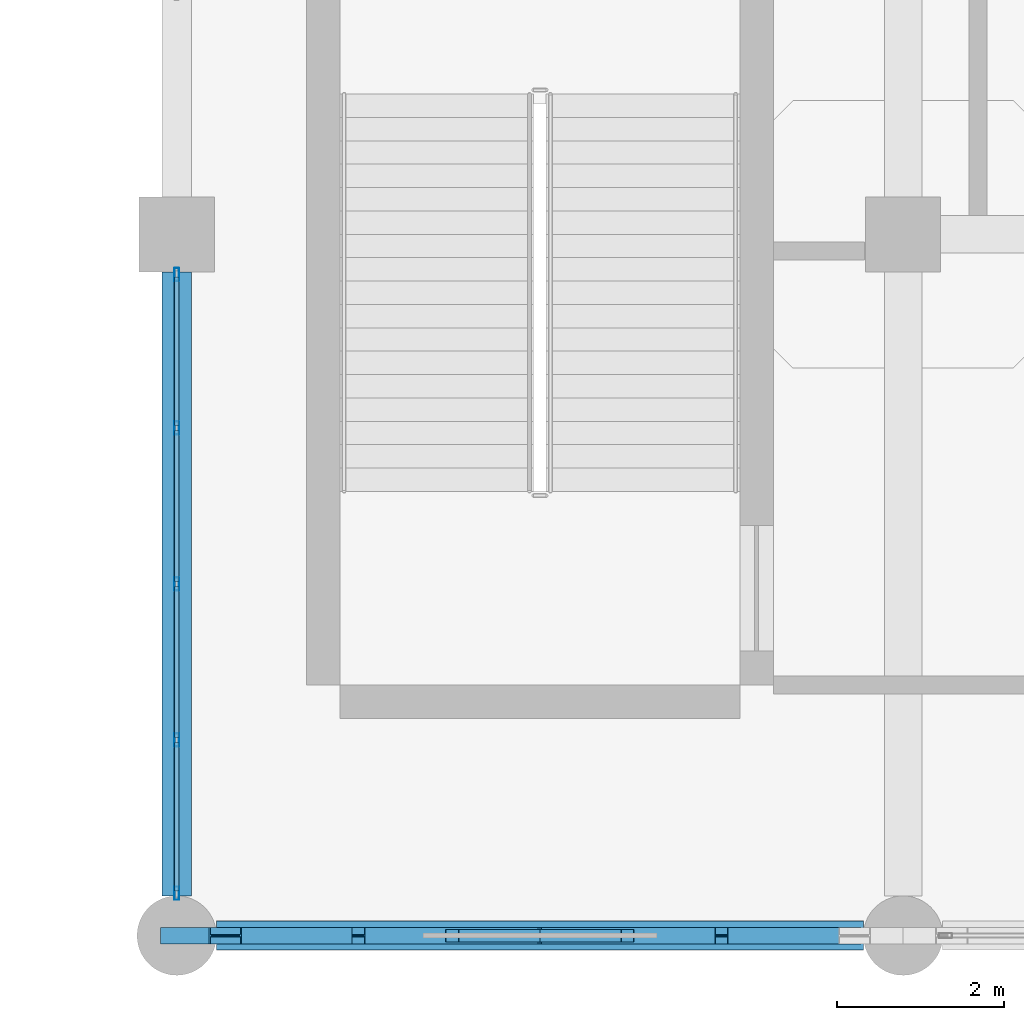
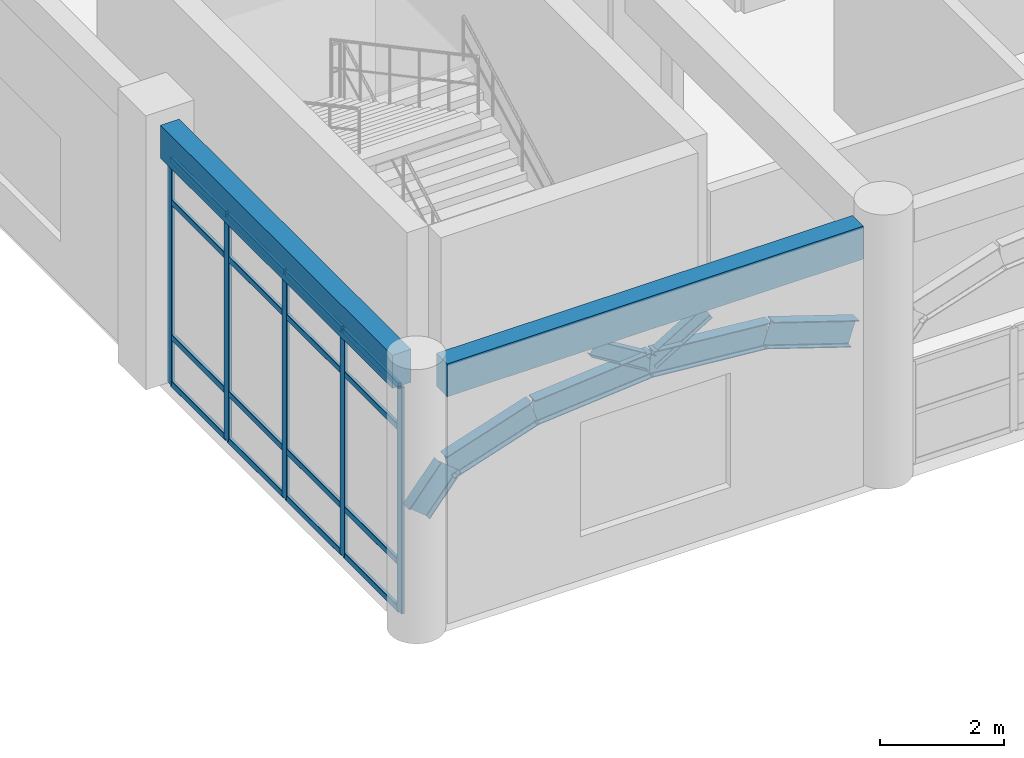
# One storey, part 26 of 114: 23 members, 7 beams, 1 element without a shape of its own.
"""IFC4 building model written with IfcOpenShell, lengths in metres."""

from ifc_helpers import new_model, si_unit, derived_unit, direction, frame, origin, origin_2d, place, context, subcontext, project, spatial, rectangle, hollow_rectangle, i_section, extrude, material, layer, layer_set, material_profile, profile_set, type_object, element, aggregate, save


model = new_model("IFC4")

# Units and contexts
model_context = context("Model", 3, precision=1e-05, world=origin(), true_north=direction((0.0, 1.0)))
body_context = subcontext(model_context, "Body", "Model", "MODEL_VIEW")
ifc_project = project(units=[si_unit("LENGTHUNIT", "METRE"), si_unit("AREAUNIT", "SQUARE_METRE"), si_unit("VOLUMEUNIT", "CUBIC_METRE"), si_unit("PLANEANGLEUNIT", "RADIAN"), si_unit("MASSUNIT", "GRAM", prefix="KILO"), derived_unit("THERMALTRANSMITTANCEUNIT", [(si_unit("MASSUNIT", "GRAM", prefix="KILO"), 1), (si_unit("TIMEUNIT", "SECOND"), -3), (si_unit("THERMODYNAMICTEMPERATUREUNIT", "KELVIN"), -1)])], contexts=[model_context])

# Site, building, storey
site_placement = place(None, origin())
site = spatial("IfcSite", under=ifc_project, at=site_placement, CompositionType="ELEMENT")
building_placement = place(site_placement, origin())
building = spatial("IfcBuilding", under=site, at=building_placement, Name="Qinzheling Arcade Emporium", CompositionType="ELEMENT")
storey_placement = place(building_placement, frame((0.0, 0.0, 6.0)))
storey = spatial("IfcBuildingStorey", under=building, at=storey_placement, Name="L02", CompositionType="ELEMENT", Elevation=6.0)

# Beams
ifc_material_1 = material(Name="Weathering steel Q355NH", Category="steel")
ifc_material_profile_1 = material_profile(ifc_material_1, i_section(OverallWidth=0.199951171875, OverallDepth=0.5, WebThickness=0.010009765625, FlangeThickness=0.01611328125, FilletRadius=0.01806640625, at=origin_2d()), Name="HN 500x200x10x16", Category="steel")
ifc_profile_set_1 = profile_set([ifc_material_profile_1], Name="Weathering steel Q355NH")
beam_type_1 = type_object("IfcBeamType", Name="Arcade End Arch Rib HN500 Q355NH", PredefinedType="BEAM", material=ifc_profile_set_1)
beam_1_placement = place(storey_placement, frame((104.39990234375, 0.0, 2.27490234375), z_axis=(0.632934642244, 0.0, 0.774205230316), x_axis=(0.0, 1.0, 0.0)))
element("IfcBeam", 1, at=beam_1_placement, inside=storey, type_object=beam_type_1, Name="Street Entrance Arch ARC-L02-S06-C01", PredefinedType="BEAM", context=body_context, shape_type="SweptSolid", body=[
    extrude(i_section(OverallWidth=0.199951171875, OverallDepth=0.5, WebThickness=0.010009765625, FlangeThickness=0.01611328125, FilletRadius=0.01806640625, at=origin_2d()), origin(), (0.0, 0.0, 1.0), 0.921142578125),
])
beam_2_placement = place(storey_placement, frame((104.98291015625, 0.0, 2.988037109375), z_axis=(0.950403395584, 0.0, 0.311019912004), x_axis=(0.0, 1.0, 0.0)))
element("IfcBeam", 2, at=beam_2_placement, inside=storey, type_object=beam_type_1, Name="Street Entrance Arch ARC-L02-S06-C02", PredefinedType="BEAM", context=body_context, shape_type="SweptSolid", body=[
    extrude(i_section(OverallWidth=0.199951171875, OverallDepth=0.5, WebThickness=0.010009765625, FlangeThickness=0.01611328125, FilletRadius=0.01806640625, at=origin_2d()), origin(), (0.0, 0.0, 1.0), 1.675048828125),
])
for number, where, z_axis, x_axis, name in (
    (3, (106.574951171875, 0.0, 3.509033203125), (0.9961697702, 0.0, 0.087440202076), (0.0, 1.0, 0.0), "Street Entrance Arch ARC-L02-S06-C03"),
    (4, (108.75, 0.0, 3.699951171875), (0.9961697702, 0.0, -0.087440202076), (0.0, 1.0, 0.0), "Street Entrance Arch ARC-L02-S06-C04"),
):
    element("IfcBeam", number, at=place(storey_placement, frame(where, z_axis=z_axis, x_axis=x_axis)), inside=storey, type_object=beam_type_1, Name=name, PredefinedType="BEAM", context=body_context, shape_type="SweptSolid", body=[
        extrude(i_section(OverallWidth=0.199951171875, OverallDepth=0.5, WebThickness=0.010009765625, FlangeThickness=0.01611328125, FilletRadius=0.01806640625, at=origin_2d()), origin(), (0.0, 0.0, 1.0), 2.183349609375),
    ])
beam_3_placement = place(storey_placement, frame((110.925048828125, 0.0, 3.509033203125), z_axis=(0.950403395584, 0.0, -0.311019912004), x_axis=(0.0, 1.0, 0.0)))
element("IfcBeam", 5, at=beam_3_placement, inside=storey, type_object=beam_type_1, Name="Street Entrance Arch ARC-L02-S06-C05", PredefinedType="BEAM", context=body_context, shape_type="SweptSolid", body=[
    extrude(i_section(OverallWidth=0.199951171875, OverallDepth=0.5, WebThickness=0.010009765625, FlangeThickness=0.01611328125, FilletRadius=0.01806640625, at=origin_2d()), origin(), (0.0, 0.0, 1.0), 1.675048828125),
])

# Members
ifc_material_profile_2 = material_profile(ifc_material_1, i_section(OverallWidth=0.14990234375, OverallDepth=0.300048828125, WebThickness=0.006591796875, FlangeThickness=0.009033203125, FilletRadius=0.012939453125, at=origin_2d()), Name="HN 300x150x6.5x9", Category="steel")
ifc_profile_set_2 = profile_set([ifc_material_profile_2], Name="Weathering steel Q355NH")
member_type_1 = type_object("IfcMemberType", Name="Arcade Spandrel Web Chord HN300 Q355NH", PredefinedType="CHORD", material=ifc_profile_set_2)
for number, where, z_axis, x_axis, name in (
    (6, (108.75, 0.0, 3.7099609375), (-0.853845673448, 0.0, 0.520526239428), (0.0, -1.0, 0.0), "Street Spandrel Web Chord ASW-L02-S06-W1"),
    (7, (108.75, 0.0, 3.7099609375), (0.853845673448, 0.0, 0.520526239428), (0.0, 1.0, 0.0), "Street Spandrel Web Chord ASW-L02-S06-W2"),
):
    element("IfcMember", number, at=place(storey_placement, frame(where, z_axis=z_axis, x_axis=x_axis)), inside=storey, type_object=member_type_1, Name=name, PredefinedType="CHORD", context=body_context, shape_type="SweptSolid", body=[
        extrude(i_section(OverallWidth=0.14990234375, OverallDepth=0.300048828125, WebThickness=0.006591796875, FlangeThickness=0.009033203125, FilletRadius=0.012939453125, at=origin_2d()), origin(), (0.0, 0.0, 1.0), 1.229736328125),
    ])

# Curtain wall, members
ifc_material_2 = material(Name="Anodised aluminium and solar-control double glazing", Category="aluminium")
ifc_layer = layer(ifc_material_2, 0.159912109375, Name="Anodised aluminium and solar-control double glazing", Category="aluminium")
ifc_layer_set = layer_set([ifc_layer], Name="Anodised aluminium and solar-control double glazing")
curtain_wall_type = type_object("IfcCurtainWallType", Name="Arcade Portal Glazed Curtain Wall", PredefinedType="NOTDEFINED", material=ifc_layer_set)
curtain_wall_placement = place(storey_placement, origin())
curtain_wall = element("IfcCurtainWall", 8, at=curtain_wall_placement, inside=storey, type_object=curtain_wall_type, Name="Curtain Wall CW-L02-060", PredefinedType="NOTDEFINED")
ifc_material_3 = material(Name="Anodised aluminium 6063-T6", Category="aluminium")
ifc_material_profile_3 = material_profile(ifc_material_3, hollow_rectangle(XDim=0.06005859375, YDim=0.159912109375, WallThickness=0.00390625, InnerFilletRadius=0.00390625, OuterFilletRadius=0.008056640625, at=origin_2d()), Name="RHS 160x60x4", Category="aluminium")
ifc_profile_set_3 = profile_set([ifc_material_profile_3], Name="Anodised aluminium 6063-T6")
member_type_2 = type_object("IfcMemberType", Name="Curtain Wall Mullion RHS160x60", PredefinedType="MULLION", material=ifc_profile_set_3)
member_1_placement = place(storey_placement, frame((104.39990234375, 0.507080078125, 0.0), z_axis=(0.0, 0.0, 1.0), x_axis=(-1.0, 0.0, 0.0)))
member_1 = element("IfcMember", 9, at=member_1_placement, type_object=member_type_2, Name="CW05 mullion 1", PredefinedType="MULLION", context=body_context, shape_type="SweptSolid", body=[
    extrude(hollow_rectangle(XDim=0.06005859375, YDim=0.159912109375, WallThickness=0.00390625, InnerFilletRadius=0.00390625, OuterFilletRadius=0.008056640625, at=origin_2d()), origin(), (0.0, 0.0, 1.0), 4.455078125),
])
member_2_placement = place(storey_placement, frame((104.39990234375, 2.3447265625, 0.0), z_axis=(0.0, 0.0, 1.0), x_axis=(-1.0, 0.0, 0.0)))
member_2 = element("IfcMember", 10, at=member_2_placement, type_object=member_type_2, Name="CW05 mullion 2", PredefinedType="MULLION", context=body_context, shape_type="SweptSolid", body=[
    extrude(hollow_rectangle(XDim=0.06005859375, YDim=0.159912109375, WallThickness=0.00390625, InnerFilletRadius=0.00390625, OuterFilletRadius=0.008056640625, at=origin_2d()), origin(), (0.0, 0.0, 1.0), 4.455078125),
])
member_3_placement = place(storey_placement, frame((104.39990234375, 4.21240234375, 0.0), z_axis=(0.0, 0.0, 1.0), x_axis=(-1.0, 0.0, 0.0)))
member_3 = element("IfcMember", 11, at=member_3_placement, type_object=member_type_2, Name="CW05 mullion 3", PredefinedType="MULLION", context=body_context, shape_type="SweptSolid", body=[
    extrude(hollow_rectangle(XDim=0.06005859375, YDim=0.159912109375, WallThickness=0.00390625, InnerFilletRadius=0.00390625, OuterFilletRadius=0.008056640625, at=origin_2d()), origin(), (0.0, 0.0, 1.0), 4.455078125),
])
member_4_placement = place(storey_placement, frame((104.39990234375, 6.080322265625, 0.0), z_axis=(0.0, 0.0, 1.0), x_axis=(-1.0, 0.0, 0.0)))
member_4 = element("IfcMember", 12, at=member_4_placement, type_object=member_type_2, Name="CW05 mullion 4", PredefinedType="MULLION", context=body_context, shape_type="SweptSolid", body=[
    extrude(hollow_rectangle(XDim=0.06005859375, YDim=0.159912109375, WallThickness=0.00390625, InnerFilletRadius=0.00390625, OuterFilletRadius=0.008056640625, at=origin_2d()), origin(), (0.0, 0.0, 1.0), 4.455078125),
])
member_5_placement = place(storey_placement, frame((104.39990234375, 7.91796875, 0.0), z_axis=(0.0, 0.0, 1.0), x_axis=(-1.0, 0.0, 0.0)))
member_5 = element("IfcMember", 13, at=member_5_placement, type_object=member_type_2, Name="CW05 mullion 5", PredefinedType="MULLION", context=body_context, shape_type="SweptSolid", body=[
    extrude(hollow_rectangle(XDim=0.06005859375, YDim=0.159912109375, WallThickness=0.00390625, InnerFilletRadius=0.00390625, OuterFilletRadius=0.008056640625, at=origin_2d()), origin(), (0.0, 0.0, 1.0), 4.455078125),
])
ifc_material_profile_4 = material_profile(ifc_material_3, hollow_rectangle(XDim=0.06005859375, YDim=0.1201171875, WallThickness=0.00390625, InnerFilletRadius=0.00390625, OuterFilletRadius=0.008056640625, at=origin_2d()), Name="RHS 120x60x4", Category="aluminium")
ifc_profile_set_4 = profile_set([ifc_material_profile_4], Name="Anodised aluminium 6063-T6")
member_type_3 = type_object("IfcMemberType", Name="Curtain Wall Transom RHS120x60", PredefinedType="USERDEFINED", material=ifc_profile_set_4)
member_6_placement = place(storey_placement, frame((104.39990234375, 0.537109375, 0.030029296875), z_axis=(0.0, 1.0, 0.0), x_axis=(-1.0, 0.0, 0.0)))
member_6 = element("IfcMember", 14, at=member_6_placement, type_object=member_type_3, Name="CW05 transom 1.1", ObjectType="TRANSOM", PredefinedType="USERDEFINED", context=body_context, shape_type="SweptSolid", body=[
    extrude(hollow_rectangle(XDim=0.06005859375, YDim=0.1201171875, WallThickness=0.00390625, InnerFilletRadius=0.00390625, OuterFilletRadius=0.008056640625, at=origin_2d()), origin(), (0.0, 0.0, 1.0), 1.777587890625),
])
member_7_placement = place(storey_placement, frame((104.39990234375, 0.537109375, 0.949951171875), z_axis=(0.0, 1.0, 0.0), x_axis=(-1.0, 0.0, 0.0)))
member_7 = element("IfcMember", 15, at=member_7_placement, type_object=member_type_3, Name="CW05 transom 1.2", ObjectType="TRANSOM", PredefinedType="USERDEFINED", context=body_context, shape_type="SweptSolid", body=[
    extrude(hollow_rectangle(XDim=0.06005859375, YDim=0.1201171875, WallThickness=0.00390625, InnerFilletRadius=0.00390625, OuterFilletRadius=0.008056640625, at=origin_2d()), origin(), (0.0, 0.0, 1.0), 1.777587890625),
])
member_8_placement = place(storey_placement, frame((104.39990234375, 0.537109375, 3.60498046875), z_axis=(0.0, 1.0, 0.0), x_axis=(-1.0, 0.0, 0.0)))
member_8 = element("IfcMember", 16, at=member_8_placement, type_object=member_type_3, Name="CW05 transom 1.3", ObjectType="TRANSOM", PredefinedType="USERDEFINED", context=body_context, shape_type="SweptSolid", body=[
    extrude(hollow_rectangle(XDim=0.06005859375, YDim=0.1201171875, WallThickness=0.00390625, InnerFilletRadius=0.00390625, OuterFilletRadius=0.008056640625, at=origin_2d()), origin(), (0.0, 0.0, 1.0), 1.777587890625),
])
member_9_placement = place(storey_placement, frame((104.39990234375, 0.537109375, 4.425048828125), z_axis=(0.0, 1.0, 0.0), x_axis=(-1.0, 0.0, 0.0)))
member_9 = element("IfcMember", 17, at=member_9_placement, type_object=member_type_3, Name="CW05 transom 1.4", ObjectType="TRANSOM", PredefinedType="USERDEFINED", context=body_context, shape_type="SweptSolid", body=[
    extrude(hollow_rectangle(XDim=0.06005859375, YDim=0.1201171875, WallThickness=0.00390625, InnerFilletRadius=0.00390625, OuterFilletRadius=0.008056640625, at=origin_2d()), origin(), (0.0, 0.0, 1.0), 1.777587890625),
])
member_10_placement = place(storey_placement, frame((104.39990234375, 2.374755859375, 0.030029296875), z_axis=(0.0, 1.0, 0.0), x_axis=(-1.0, 0.0, 0.0)))
member_10 = element("IfcMember", 18, at=member_10_placement, type_object=member_type_3, Name="CW05 transom 2.1", ObjectType="TRANSOM", PredefinedType="USERDEFINED", context=body_context, shape_type="SweptSolid", body=[
    extrude(hollow_rectangle(XDim=0.06005859375, YDim=0.1201171875, WallThickness=0.00390625, InnerFilletRadius=0.00390625, OuterFilletRadius=0.008056640625, at=origin_2d()), origin(), (0.0, 0.0, 1.0), 1.807861328125),
])
member_11_placement = place(storey_placement, frame((104.39990234375, 2.374755859375, 0.949951171875), z_axis=(0.0, 1.0, 0.0), x_axis=(-1.0, 0.0, 0.0)))
member_11 = element("IfcMember", 19, at=member_11_placement, type_object=member_type_3, Name="CW05 transom 2.2", ObjectType="TRANSOM", PredefinedType="USERDEFINED", context=body_context, shape_type="SweptSolid", body=[
    extrude(hollow_rectangle(XDim=0.06005859375, YDim=0.1201171875, WallThickness=0.00390625, InnerFilletRadius=0.00390625, OuterFilletRadius=0.008056640625, at=origin_2d()), origin(), (0.0, 0.0, 1.0), 1.807861328125),
])
member_12_placement = place(storey_placement, frame((104.39990234375, 2.374755859375, 3.60498046875), z_axis=(0.0, 1.0, 0.0), x_axis=(-1.0, 0.0, 0.0)))
member_12 = element("IfcMember", 20, at=member_12_placement, type_object=member_type_3, Name="CW05 transom 2.3", ObjectType="TRANSOM", PredefinedType="USERDEFINED", context=body_context, shape_type="SweptSolid", body=[
    extrude(hollow_rectangle(XDim=0.06005859375, YDim=0.1201171875, WallThickness=0.00390625, InnerFilletRadius=0.00390625, OuterFilletRadius=0.008056640625, at=origin_2d()), origin(), (0.0, 0.0, 1.0), 1.807861328125),
])
member_13_placement = place(storey_placement, frame((104.39990234375, 2.374755859375, 4.425048828125), z_axis=(0.0, 1.0, 0.0), x_axis=(-1.0, 0.0, 0.0)))
member_13 = element("IfcMember", 21, at=member_13_placement, type_object=member_type_3, Name="CW05 transom 2.4", ObjectType="TRANSOM", PredefinedType="USERDEFINED", context=body_context, shape_type="SweptSolid", body=[
    extrude(hollow_rectangle(XDim=0.06005859375, YDim=0.1201171875, WallThickness=0.00390625, InnerFilletRadius=0.00390625, OuterFilletRadius=0.008056640625, at=origin_2d()), origin(), (0.0, 0.0, 1.0), 1.807861328125),
])
member_14_placement = place(storey_placement, frame((104.39990234375, 4.242431640625, 0.030029296875), z_axis=(0.0, 1.0, 0.0), x_axis=(-1.0, 0.0, 0.0)))
member_14 = element("IfcMember", 22, at=member_14_placement, type_object=member_type_3, Name="CW05 transom 3.1", ObjectType="TRANSOM", PredefinedType="USERDEFINED", context=body_context, shape_type="SweptSolid", body=[
    extrude(hollow_rectangle(XDim=0.06005859375, YDim=0.1201171875, WallThickness=0.00390625, InnerFilletRadius=0.00390625, OuterFilletRadius=0.008056640625, at=origin_2d()), origin(), (0.0, 0.0, 1.0), 1.807861328125),
])
member_15_placement = place(storey_placement, frame((104.39990234375, 4.242431640625, 0.949951171875), z_axis=(0.0, 1.0, 0.0), x_axis=(-1.0, 0.0, 0.0)))
member_15 = element("IfcMember", 23, at=member_15_placement, type_object=member_type_3, Name="CW05 transom 3.2", ObjectType="TRANSOM", PredefinedType="USERDEFINED", context=body_context, shape_type="SweptSolid", body=[
    extrude(hollow_rectangle(XDim=0.06005859375, YDim=0.1201171875, WallThickness=0.00390625, InnerFilletRadius=0.00390625, OuterFilletRadius=0.008056640625, at=origin_2d()), origin(), (0.0, 0.0, 1.0), 1.807861328125),
])
member_16_placement = place(storey_placement, frame((104.39990234375, 4.242431640625, 3.60498046875), z_axis=(0.0, 1.0, 0.0), x_axis=(-1.0, 0.0, 0.0)))
member_16 = element("IfcMember", 24, at=member_16_placement, type_object=member_type_3, Name="CW05 transom 3.3", ObjectType="TRANSOM", PredefinedType="USERDEFINED", context=body_context, shape_type="SweptSolid", body=[
    extrude(hollow_rectangle(XDim=0.06005859375, YDim=0.1201171875, WallThickness=0.00390625, InnerFilletRadius=0.00390625, OuterFilletRadius=0.008056640625, at=origin_2d()), origin(), (0.0, 0.0, 1.0), 1.807861328125),
])
member_17_placement = place(storey_placement, frame((104.39990234375, 4.242431640625, 4.425048828125), z_axis=(0.0, 1.0, 0.0), x_axis=(-1.0, 0.0, 0.0)))
member_17 = element("IfcMember", 25, at=member_17_placement, type_object=member_type_3, Name="CW05 transom 3.4", ObjectType="TRANSOM", PredefinedType="USERDEFINED", context=body_context, shape_type="SweptSolid", body=[
    extrude(hollow_rectangle(XDim=0.06005859375, YDim=0.1201171875, WallThickness=0.00390625, InnerFilletRadius=0.00390625, OuterFilletRadius=0.008056640625, at=origin_2d()), origin(), (0.0, 0.0, 1.0), 1.807861328125),
])
member_18_placement = place(storey_placement, frame((104.39990234375, 6.1103515625, 0.030029296875), z_axis=(0.0, 1.0, 0.0), x_axis=(-1.0, 0.0, 0.0)))
member_18 = element("IfcMember", 26, at=member_18_placement, type_object=member_type_3, Name="CW05 transom 4.1", ObjectType="TRANSOM", PredefinedType="USERDEFINED", context=body_context, shape_type="SweptSolid", body=[
    extrude(hollow_rectangle(XDim=0.06005859375, YDim=0.1201171875, WallThickness=0.00390625, InnerFilletRadius=0.00390625, OuterFilletRadius=0.008056640625, at=origin_2d()), origin(), (0.0, 0.0, 1.0), 1.777587890625),
])
member_19_placement = place(storey_placement, frame((104.39990234375, 6.1103515625, 0.949951171875), z_axis=(0.0, 1.0, 0.0), x_axis=(-1.0, 0.0, 0.0)))
member_19 = element("IfcMember", 27, at=member_19_placement, type_object=member_type_3, Name="CW05 transom 4.2", ObjectType="TRANSOM", PredefinedType="USERDEFINED", context=body_context, shape_type="SweptSolid", body=[
    extrude(hollow_rectangle(XDim=0.06005859375, YDim=0.1201171875, WallThickness=0.00390625, InnerFilletRadius=0.00390625, OuterFilletRadius=0.008056640625, at=origin_2d()), origin(), (0.0, 0.0, 1.0), 1.777587890625),
])
member_20_placement = place(storey_placement, frame((104.39990234375, 6.1103515625, 3.60498046875), z_axis=(0.0, 1.0, 0.0), x_axis=(-1.0, 0.0, 0.0)))
member_20 = element("IfcMember", 28, at=member_20_placement, type_object=member_type_3, Name="CW05 transom 4.3", ObjectType="TRANSOM", PredefinedType="USERDEFINED", context=body_context, shape_type="SweptSolid", body=[
    extrude(hollow_rectangle(XDim=0.06005859375, YDim=0.1201171875, WallThickness=0.00390625, InnerFilletRadius=0.00390625, OuterFilletRadius=0.008056640625, at=origin_2d()), origin(), (0.0, 0.0, 1.0), 1.777587890625),
])
member_21_placement = place(storey_placement, frame((104.39990234375, 6.1103515625, 4.425048828125), z_axis=(0.0, 1.0, 0.0), x_axis=(-1.0, 0.0, 0.0)))
member_21 = element("IfcMember", 29, at=member_21_placement, type_object=member_type_3, Name="CW05 transom 4.4", ObjectType="TRANSOM", PredefinedType="USERDEFINED", context=body_context, shape_type="SweptSolid", body=[
    extrude(hollow_rectangle(XDim=0.06005859375, YDim=0.1201171875, WallThickness=0.00390625, InnerFilletRadius=0.00390625, OuterFilletRadius=0.008056640625, at=origin_2d()), origin(), (0.0, 0.0, 1.0), 1.777587890625),
])
aggregate(curtain_wall, [member_1, member_2, member_3, member_4, member_5, member_6, member_7, member_8, member_9, member_10, member_11, member_12, member_13, member_14, member_15, member_16, member_17, member_18, member_19, member_20, member_21])

# Beams
ifc_material_4 = material(Name="Concrete C40", Category="concrete")
ifc_material_profile_5 = material_profile(ifc_material_4, rectangle(XDim=0.35009765625, YDim=0.64990234375, at=origin_2d()), Name="RC 350x650", Category="concrete")
ifc_profile_set_5 = profile_set([ifc_material_profile_5], Name="Concrete C40")
beam_type_2 = type_object("IfcBeamType", Name="RC Spandrel Edge Beam 350x650 C40", PredefinedType="SPANDREL", material=ifc_profile_set_5)
beam_4_placement = place(storey_placement, frame((104.875, 0.0, 4.794921875), z_axis=(1.0, 0.0, 0.0), x_axis=(0.0, 1.0, 0.0)))
element("IfcBeam", 30, at=beam_4_placement, inside=storey, type_object=beam_type_2, Name="Beam BM-L02-X-A-13", PredefinedType="SPANDREL", context=body_context, shape_type="SweptSolid", body=[
    extrude(rectangle(XDim=0.35009765625, YDim=0.64990234375, at=origin_2d()), origin(), (0.0, 0.0, 1.0), 7.75),
])
beam_5_placement = place(storey_placement, frame((104.39990234375, 0.47509765625, 4.794921875), z_axis=(0.0, 1.0, 0.0), x_axis=(-1.0, 0.0, 0.0)))
element("IfcBeam", 31, at=beam_5_placement, inside=storey, type_object=beam_type_2, Name="Beam BM-L02-Y-13-A", PredefinedType="SPANDREL", context=body_context, shape_type="SweptSolid", body=[
    extrude(rectangle(XDim=0.35009765625, YDim=0.64990234375, at=origin_2d()), origin(), (0.0, 0.0, 1.0), 7.474853515625),
])

save(model, "model.ifc")
